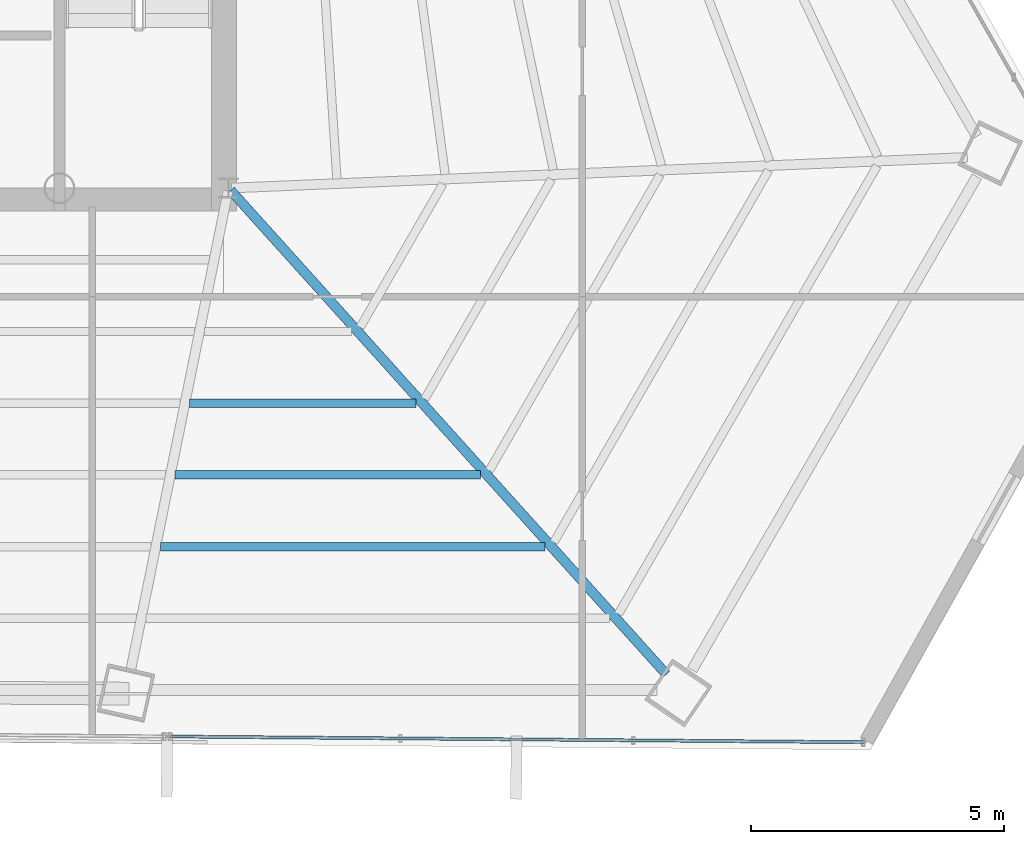
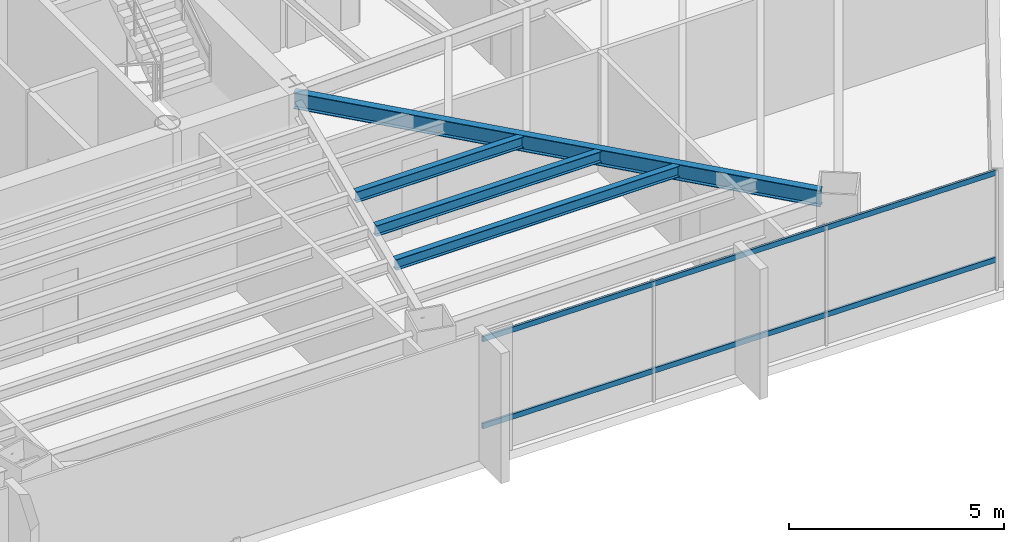
# One storey, part 18 of 38: 4 beams, 2 members, 1 element without a shape of its own.
"""IFC4 building model written with IfcOpenShell, lengths in metres."""

from ifc_helpers import new_model, si_unit, direction, frame, origin, origin_2d, place, context, subcontext, project, spatial, hollow_rectangle, i_section, extrude, source, transform, mapped, material, material_profile, profile_set, type_object, type_shapes, element, aggregate, save


model = new_model("IFC4")

# Units and contexts
model_context = context("Model", 3, precision=1e-05, world=origin(), true_north=direction((0.0, 1.0)))
body_context = subcontext(model_context, "Body", "Model", "MODEL_VIEW")
ifc_project = project(units=[si_unit("LENGTHUNIT", "METRE"), si_unit("AREAUNIT", "SQUARE_METRE"), si_unit("VOLUMEUNIT", "CUBIC_METRE"), si_unit("PLANEANGLEUNIT", "RADIAN"), si_unit("MASSUNIT", "GRAM", prefix="KILO")], contexts=[model_context])

# Site, building, storey
site_placement = place(None, origin())
site = spatial("IfcSite", under=ifc_project, at=site_placement, CompositionType="ELEMENT")
building_placement = place(site_placement, origin())
building = spatial("IfcBuilding", under=site, at=building_placement, Name="Caelisora Broadcast Tower", CompositionType="ELEMENT")
storey_placement = place(building_placement, frame((0.0, 0.0, 158.5)))
storey = spatial("IfcBuildingStorey", under=building, at=storey_placement, Name="L41", CompositionType="ELEMENT", Elevation=158.5)

# Beams
ifc_material_1 = material(Name="Steel Grade 350 (AS/NZS 3679.1)", Category="steel")
ifc_material_profile_1 = material_profile(ifc_material_1, i_section(OverallWidth=0.19091796875, OverallDepth=0.46044921875, WebThickness=0.010009765625, FlangeThickness=0.01611328125, at=origin_2d()), Name="Steel Grade 350 (AS/NZS 3679.1)")
ifc_profile_set_1 = profile_set([ifc_material_profile_1], Name="Steel Grade 350 (AS/NZS 3679.1)")
beam_type_1 = type_object("IfcBeamType", Name="PG06", PredefinedType="BEAM", material=ifc_profile_set_1)
shared_shape_1 = source(origin(), body_context, "Body", "SweptSolid", [
    extrude(i_section(OverallWidth=0.19091796875, OverallDepth=0.46044921875, WebThickness=0.010009765625, FlangeThickness=0.01611328125, at=origin_2d()), origin(), (0.0, 0.0, 1.0), 12.888427734375),
])
type_shapes(beam_type_1, [shared_shape_1])
beam_1_placement = place(storey_placement, frame((45.5400390625, 17.35546875, 3.169921875), z_axis=(0.66909344811, -0.743178281233, 0.0), x_axis=(0.743178281233, 0.66909344811, 0.0)))
element("IfcBeam", 1, at=beam_1_placement, inside=storey, type_object=beam_type_1, Name="L41 beam PG06", PredefinedType="BEAM", context=body_context, shape_type="MappedRepresentation", body=[
    mapped(shared_shape_1, transform((0.0, 0.0, 0.0), scale=1.0)),
])
ifc_material_profile_2 = material_profile(ifc_material_1, i_section(OverallWidth=0.166015625, OverallDepth=0.30712890625, WebThickness=0.006591796875, FlangeThickness=0.01171875, at=origin_2d()), Name="Steel Grade 350 (AS/NZS 3679.1)")
ifc_profile_set_2 = profile_set([ifc_material_profile_2], Name="Steel Grade 350 (AS/NZS 3679.1)")
beam_type_2 = type_object("IfcBeamType", Name="SB03", PredefinedType="JOIST", material=ifc_profile_set_2)
shared_shape_2 = source(origin(), body_context, "Body", "SweptSolid", [
    extrude(i_section(OverallWidth=0.166015625, OverallDepth=0.30712890625, WebThickness=0.006591796875, FlangeThickness=0.01171875, at=origin_2d()), origin(), (0.0, 0.0, 1.0), 4.478515625),
])
beam_2_placement = place(storey_placement, frame((44.7294921875, 13.14208984375, 3.246337890625), z_axis=(1.0, 0.0, 0.0), x_axis=(0.0, 1.0, 0.0)))
element("IfcBeam", 2, at=beam_2_placement, inside=storey, type_object=beam_type_2, Name="L41 beam SB03", PredefinedType="JOIST", context=body_context, shape_type="MappedRepresentation", body=[
    mapped(shared_shape_2, transform((0.0, 0.0, 0.0), scale=1.0)),
])
shared_shape_3 = source(origin(), body_context, "Body", "SweptSolid", [
    extrude(i_section(OverallWidth=0.166015625, OverallDepth=0.30712890625, WebThickness=0.006591796875, FlangeThickness=0.01171875, at=origin_2d()), origin(), (0.0, 0.0, 1.0), 6.04443359375),
])
beam_3_placement = place(storey_placement, frame((44.441162109375, 11.722900390625, 3.246337890625), z_axis=(1.0, 0.0, 0.0), x_axis=(0.0, 1.0, 0.0)))
element("IfcBeam", 3, at=beam_3_placement, inside=storey, type_object=beam_type_2, Name="L41 beam SB03", PredefinedType="JOIST", context=body_context, shape_type="MappedRepresentation", body=[
    mapped(shared_shape_3, transform((0.0, 0.0, 0.0), scale=1.0)),
])
shared_shape_4 = source(origin(), body_context, "Body", "SweptSolid", [
    extrude(i_section(OverallWidth=0.166015625, OverallDepth=0.30712890625, WebThickness=0.006591796875, FlangeThickness=0.01171875, at=origin_2d()), origin(), (0.0, 0.0, 1.0), 7.61083984375),
])
type_shapes(beam_type_2, [shared_shape_2, shared_shape_3, shared_shape_4])
beam_4_placement = place(storey_placement, frame((44.152587890625, 10.3037109375, 3.246337890625), z_axis=(1.0, 0.0, 0.0), x_axis=(0.0, 1.0, 0.0)))
element("IfcBeam", 4, at=beam_4_placement, inside=storey, type_object=beam_type_2, Name="L41 beam SB03", PredefinedType="JOIST", context=body_context, shape_type="MappedRepresentation", body=[
    mapped(shared_shape_4, transform((0.0, 0.0, 0.0), scale=1.0)),
])

# Curtain wall, members
ifc_material_2 = material(Name="Unitised Aluminium and Low-E Glass Curtain Wall", Category="glass")
curtain_wall_type = type_object("IfcCurtainWallType", Name="CW-Z3", PredefinedType="NOTDEFINED", material=ifc_material_2)
curtain_wall_placement = place(storey_placement, origin())
curtain_wall = element("IfcCurtainWall", 5, at=curtain_wall_placement, inside=storey, type_object=curtain_wall_type, Name="L41 curtain wall CW-Z3", PredefinedType="NOTDEFINED")
ifc_material_3 = material(Name="Aluminium 6063-T6 Anodised Terracotta Bronze", Category="aluminium")
ifc_material_profile_3 = material_profile(ifc_material_3, hollow_rectangle(XDim=0.06005859375, YDim=0.14990234375, WallThickness=0.00341796875, at=origin_2d()), Name="Aluminium 6063-T6 Anodised Terracotta Bronze")
ifc_profile_set_3 = profile_set([ifc_material_profile_3], Name="Aluminium 6063-T6 Anodised Terracotta Bronze")
member_type = type_object("IfcMemberType", Name="CWT-02", PredefinedType="USERDEFINED", material=ifc_profile_set_3)
shared_shape_5 = source(origin(), body_context, "Body", "SweptSolid", [
    extrude(hollow_rectangle(XDim=0.06005859375, YDim=0.14990234375, WallThickness=0.00341796875, at=origin_2d()), origin(), (0.0, 0.0, 1.0), 13.728271484375),
])
type_shapes(member_type, [shared_shape_5])
member_1_placement = place(storey_placement, frame((58.06591796875, 6.430419921875, 0.85009765625), z_axis=(-0.999965364742, 0.00832281902, 0.0), x_axis=(-0.00832281902, -0.999965364742, 0.0)))
member_1 = element("IfcMember", 6, at=member_1_placement, type_object=member_type, Name="L41-CW-B05 transom #1", ObjectType="TRANSOM", PredefinedType="USERDEFINED", context=body_context, shape_type="MappedRepresentation", body=[
    mapped(shared_shape_5, transform((0.0, 0.0, 0.0), scale=1.0)),
])
member_2_placement = place(storey_placement, frame((58.06591796875, 6.430419921875, 3.320068359375), z_axis=(-0.999965364742, 0.00832281902, 0.0), x_axis=(-0.00832281902, -0.999965364742, 0.0)))
member_2 = element("IfcMember", 7, at=member_2_placement, type_object=member_type, Name="L41-CW-B05 transom #2", ObjectType="TRANSOM", PredefinedType="USERDEFINED", context=body_context, shape_type="MappedRepresentation", body=[
    mapped(shared_shape_5, transform((0.0, 0.0, 0.0), scale=1.0)),
])
aggregate(curtain_wall, [member_1, member_2])

save(model, "model.ifc")
